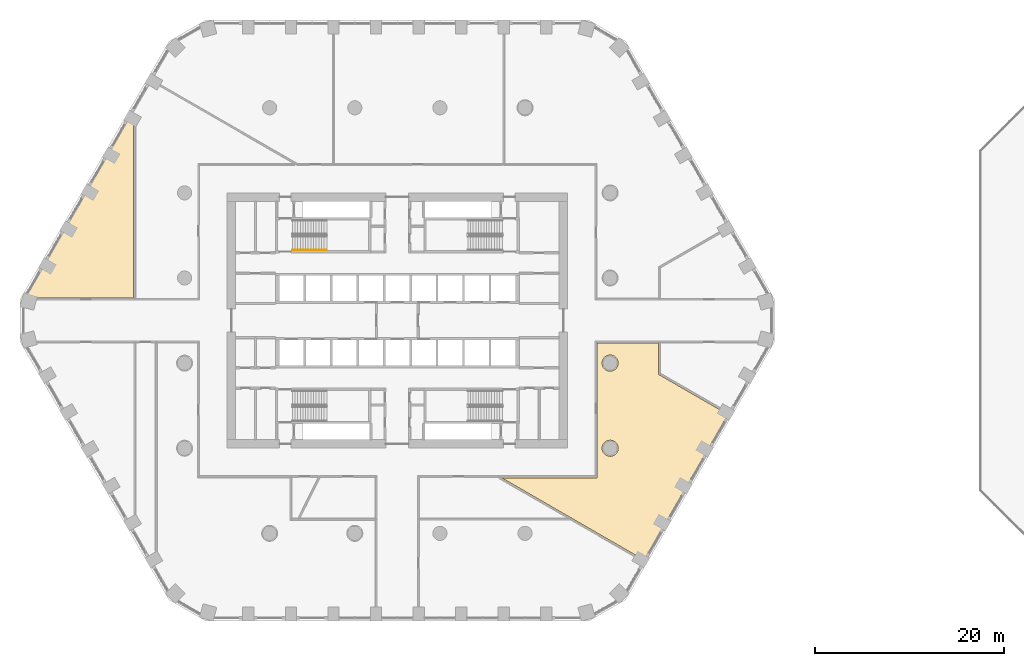
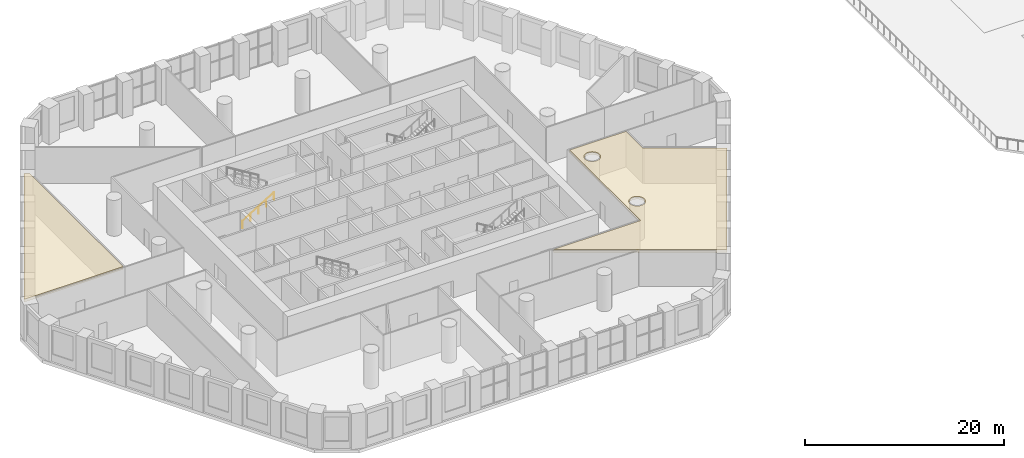
# One storey, part 18 of 21: 2 coverings, 1 railing.
"""IFC4 building model written with IfcOpenShell, lengths in metres."""

from ifc_helpers import new_model, si_unit, direction, frame, origin, origin_2d, place, context, subcontext, project, spatial, polyline, circle, outline, extrude, material, layer, layer_set, type_object, element, save


model = new_model("IFC4")

# Units and contexts
model_context = context("Model", 3, precision=1e-05, world=origin(), true_north=direction((0.0, 1.0)))
body_context = subcontext(model_context, "Body", "Model", "MODEL_VIEW")
ifc_project = project(units=[si_unit("LENGTHUNIT", "METRE"), si_unit("AREAUNIT", "SQUARE_METRE"), si_unit("VOLUMEUNIT", "CUBIC_METRE"), si_unit("PLANEANGLEUNIT", "RADIAN"), si_unit("MASSUNIT", "GRAM", prefix="KILO")], contexts=[model_context])

# Site, building, storey
site_placement = place(None, origin())
site = spatial("IfcSite", under=ifc_project, at=site_placement, CompositionType="ELEMENT")
building_placement = place(site_placement, origin())
building = spatial("IfcBuilding", under=site, at=building_placement, Name="Dhurran Vertical Campus", CompositionType="ELEMENT")
storey_placement = place(building_placement, frame((0.0, 0.0, 20.39990234375)))
storey = spatial("IfcBuildingStorey", under=building, at=storey_placement, Name="L04", CompositionType="ELEMENT", Elevation=20.39990234375)

# Railing
ifc_material_1 = material(Name="Stainless steel handrail", Category="steel")
railing_type = type_object("IfcRailingType", Name="co-RL-HANDRAIL-900", PredefinedType="HANDRAIL", material=ifc_material_1)
railing_placement = place(storey_placement, frame((-11.10009765625, 7.449951171875, 0.171630859375)))
element("IfcRailing", 1, at=railing_placement, inside=storey, type_object=railing_type, Name="L04 ST1 stair handrail 1", PredefinedType="HANDRAIL", context=body_context, shape_type="SweptSolid", body=[
    extrude(circle(Radius=0.02392578125, at=origin_2d()), frame((0.0, 0.0, 0.8759765625), z_axis=(0.852865859571, 0.0, 0.52213008492), x_axis=(0.0, 1.0, 0.0)), (0.0, 0.0, 1.0), 4.26806640625),
    extrude(circle(Radius=0.02099609375, at=origin_2d()), origin(), (0.0, 0.0, 1.0), 0.851806640625),
    extrude(circle(Radius=0.02099609375, at=origin_2d()), frame((0.91015625, 0.0, 0.55712890625)), (0.0, 0.0, 1.0), 0.851806640625),
    extrude(circle(Radius=0.02099609375, at=origin_2d()), frame((1.820068359375, 0.0, 1.1142578125)), (0.0, 0.0, 1.0), 0.851806640625),
    extrude(circle(Radius=0.02099609375, at=origin_2d()), frame((2.72998046875, 0.0, 1.67138671875)), (0.0, 0.0, 1.0), 0.851806640625),
    extrude(circle(Radius=0.02099609375, at=origin_2d()), frame((3.64013671875, 0.0, 2.228515625)), (0.0, 0.0, 1.0), 0.851806640625),
])

# Coverings
ifc_material_2 = material(Name="Mineral fibre ceiling tiles on suspended grid")
ifc_layer = layer(ifc_material_2, 0.35009765625)
ifc_layer_set = layer_set([ifc_layer], Name="Mineral fibre ceiling tiles on suspended grid")
covering_type = type_object("IfcCoveringType", Name="fl-CE-350 suspended ceiling", PredefinedType="CEILING", material=ifc_layer_set)
covering_1_placement = place(storey_placement, frame((0.0, 0.0, 4.050048828125)))
element("IfcCovering", 2, at=covering_1_placement, inside=storey, type_object=covering_type, Name="Ceiling 04-05", PredefinedType="CEILING", context=body_context, shape_type="SweptSolid", body=[
    extrude(outline(polyline([(-28.343017578125, 21.4208984375), (-27.8701171875, 21.14892578125), (-27.8701171875, 2.3701171875), (-39.343017578125, 2.3701171875), (-28.343017578125, 21.4208984375)])), origin(), (0.0, 0.0, 1.0), 0.35009765625),
])
covering_2_placement = place(storey_placement, frame((0.0, 0.0, 4.050048828125)))
element("IfcCovering", 3, at=covering_2_placement, inside=storey, type_object=covering_type, Name="Ceiling 04-16", PredefinedType="CEILING", context=body_context, shape_type="SweptSolid", body=[
    extrude(outline(polyline([(21.1201171875, -2.3701171875), (27.6298828125, -2.3701171875), (27.6298828125, -5.697998046875), (34.972900390625, -9.93798828125), (26.093017578125, -25.319091796875), (11.027099609375, -16.6201171875), (21.1201171875, -16.6201171875), (21.1201171875, -2.3701171875)]), holes=[polyline([(23.284912109375, -13.175048828125), (23.25, -13.09912109375), (23.20703125, -13.028076171875), (23.156982421875, -12.9609375), (23.10107421875, -12.89892578125), (23.0390625, -12.843017578125), (22.971923828125, -12.79296875), (22.90087890625, -12.75), (22.824951171875, -12.715087890625), (22.7470703125, -12.68701171875), (22.666015625, -12.666015625), (22.5830078125, -12.654052734375), (22.5, -12.64990234375), (22.4169921875, -12.654052734375), (22.333984375, -12.666015625), (22.2529296875, -12.68701171875), (22.175048828125, -12.715087890625), (22.09912109375, -12.75), (22.028076171875, -12.79296875), (21.9609375, -12.843017578125), (21.89892578125, -12.89892578125), (21.843017578125, -12.9609375), (21.79296875, -13.028076171875), (21.75, -13.09912109375), (21.715087890625, -13.175048828125), (21.68701171875, -13.2529296875), (21.666015625, -13.333984375), (21.654052734375, -13.4169921875), (21.64990234375, -13.5), (21.654052734375, -13.5830078125), (21.666015625, -13.666015625), (21.68701171875, -13.7470703125), (21.715087890625, -13.824951171875), (21.75, -13.90087890625), (21.79296875, -13.971923828125), (21.843017578125, -14.0390625), (21.89892578125, -14.10107421875), (21.9609375, -14.156982421875), (22.028076171875, -14.20703125), (22.09912109375, -14.25), (22.175048828125, -14.284912109375), (22.2529296875, -14.31298828125), (22.333984375, -14.333984375), (22.4169921875, -14.345947265625), (22.5, -14.35009765625), (22.5830078125, -14.345947265625), (22.666015625, -14.333984375), (22.7470703125, -14.31298828125), (22.824951171875, -14.284912109375), (22.90087890625, -14.25), (22.971923828125, -14.20703125), (23.0390625, -14.156982421875), (23.10107421875, -14.10107421875), (23.156982421875, -14.0390625), (23.20703125, -13.971923828125), (23.25, -13.90087890625), (23.284912109375, -13.824951171875), (23.31298828125, -13.7470703125), (23.333984375, -13.666015625), (23.345947265625, -13.5830078125), (23.35009765625, -13.5), (23.345947265625, -13.4169921875), (23.333984375, -13.333984375), (23.31298828125, -13.2529296875), (23.284912109375, -13.175048828125)]), polyline([(23.31298828125, -4.2529296875), (23.284912109375, -4.175048828125), (23.25, -4.09912109375), (23.20703125, -4.028076171875), (23.156982421875, -3.9609375), (23.10107421875, -3.89892578125), (23.0390625, -3.843017578125), (22.971923828125, -3.79296875), (22.90087890625, -3.75), (22.824951171875, -3.715087890625), (22.7470703125, -3.68701171875), (22.666015625, -3.666015625), (22.5830078125, -3.654052734375), (22.5, -3.64990234375), (22.4169921875, -3.654052734375), (22.333984375, -3.666015625), (22.2529296875, -3.68701171875), (22.175048828125, -3.715087890625), (22.09912109375, -3.75), (22.028076171875, -3.79296875), (21.9609375, -3.843017578125), (21.89892578125, -3.89892578125), (21.843017578125, -3.9609375), (21.79296875, -4.028076171875), (21.75, -4.09912109375), (21.715087890625, -4.175048828125), (21.68701171875, -4.2529296875), (21.666015625, -4.333984375), (21.654052734375, -4.4169921875), (21.64990234375, -4.5), (21.654052734375, -4.5830078125), (21.666015625, -4.666015625), (21.68701171875, -4.7470703125), (21.715087890625, -4.824951171875), (21.75, -4.90087890625), (21.79296875, -4.971923828125), (21.843017578125, -5.0390625), (21.89892578125, -5.10107421875), (21.9609375, -5.156982421875), (22.028076171875, -5.20703125), (22.09912109375, -5.25), (22.175048828125, -5.284912109375), (22.2529296875, -5.31298828125), (22.333984375, -5.333984375), (22.4169921875, -5.345947265625), (22.5, -5.35009765625), (22.5830078125, -5.345947265625), (22.666015625, -5.333984375), (22.7470703125, -5.31298828125), (22.824951171875, -5.284912109375), (22.90087890625, -5.25), (22.971923828125, -5.20703125), (23.0390625, -5.156982421875), (23.10107421875, -5.10107421875), (23.156982421875, -5.0390625), (23.20703125, -4.971923828125), (23.25, -4.90087890625), (23.284912109375, -4.824951171875), (23.31298828125, -4.7470703125), (23.333984375, -4.666015625), (23.345947265625, -4.5830078125), (23.35009765625, -4.5), (23.345947265625, -4.4169921875), (23.333984375, -4.333984375), (23.31298828125, -4.2529296875)])]), origin(), (0.0, 0.0, 1.0), 0.35009765625),
])

save(model, "model.ifc")
